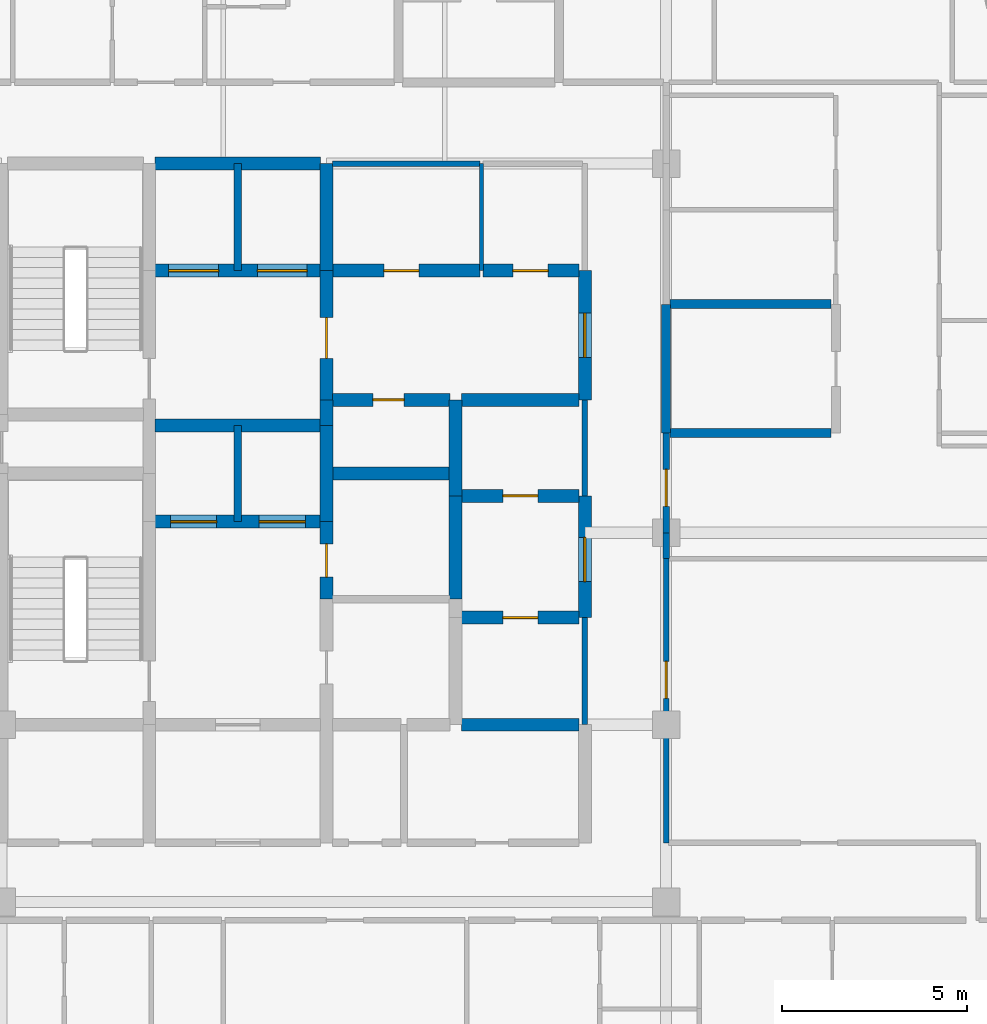
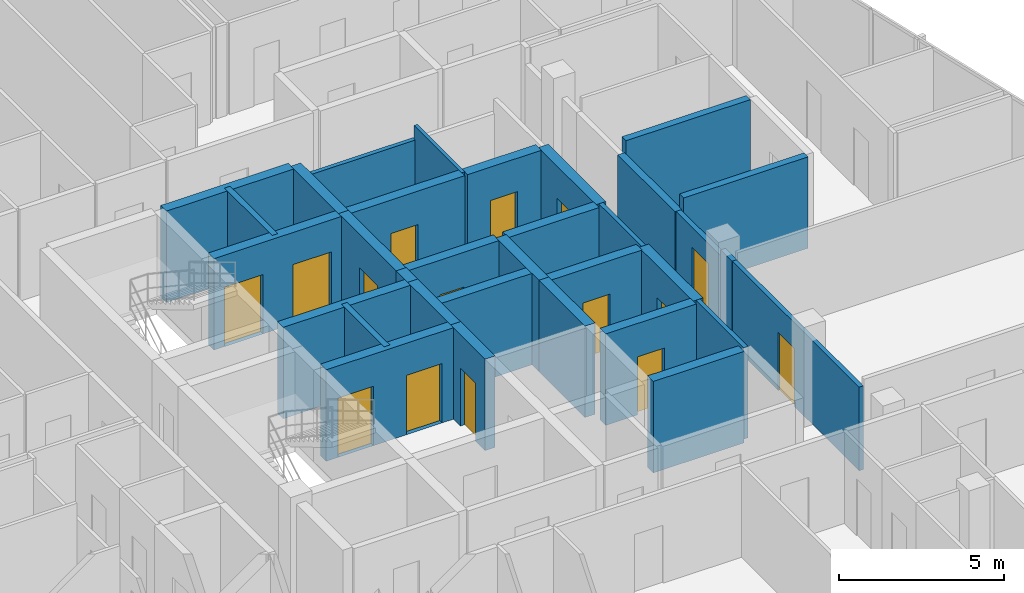
# One storey, part 27 of 30: 33 walls, 15 doors, 15 openings.
"""IFC4 building model written with IfcOpenShell, lengths in metres."""

from ifc_helpers import new_model, si_unit, direction, frame, frame_2d, origin, place, context, subcontext, project, spatial, rectangle, extrude, material, layer, layer_set, type_object, element, fill, save


model = new_model("IFC4")

# Units and contexts
model_context = context("Model", 3, precision=1e-05, world=origin(), true_north=direction((0.0, 1.0)))
body_context = subcontext(model_context, "Body", "Model", "MODEL_VIEW")
ifc_project = project(units=[si_unit("LENGTHUNIT", "METRE"), si_unit("AREAUNIT", "SQUARE_METRE"), si_unit("VOLUMEUNIT", "CUBIC_METRE"), si_unit("PLANEANGLEUNIT", "RADIAN"), si_unit("MASSUNIT", "GRAM", prefix="KILO")], contexts=[model_context])

# Site, building, storey
site_placement = place(None, origin())
site = spatial("IfcSite", under=ifc_project, at=site_placement, CompositionType="ELEMENT")
building_placement = place(site_placement, origin())
building = spatial("IfcBuilding", under=site, at=building_placement, Name="Keshet Zoharim Tower", CompositionType="ELEMENT")
storey_placement = place(building_placement, frame((0.0, 0.0, 280.60009765625)))
storey = spatial("IfcBuildingStorey", under=building, at=storey_placement, Name="L70", CompositionType="ELEMENT", Elevation=280.60009765625)

# Walls
ifc_material_1 = material(Name="Gypsum Plasterboard", Category="gypsum")
ifc_layer_1 = layer(ifc_material_1, 0.14990234375)
ifc_layer_set_1 = layer_set([ifc_layer_1], Name="Gypsum Plasterboard")
wall_type_1 = type_object("IfcWallType", Name="WL-CLIN-150", PredefinedType="STANDARD", material=ifc_layer_set_1)
wall_1_placement = place(storey_placement, frame((30.800048828125, 22.699951171875, 0.0), z_axis=(0.0, 0.0, 1.0), x_axis=(0.0, 1.0, 0.0)))
element("IfcWall", 1, at=wall_1_placement, inside=storey, type_object=wall_type_1, Name="L70 Interior Wall 061", PredefinedType="STANDARD", context=body_context, shape_type="SweptSolid", body=[
    extrude(rectangle(XDim=2.900146484375, YDim=0.14990234375, at=frame_2d((1.4501953125, 0.0))), origin(), (0.0, 0.0, 1.0), 3.389892578125),
])
wall_2_placement = place(storey_placement, frame((30.800048828125, 28.89990234375, 0.0), z_axis=(0.0, 0.0, 1.0), x_axis=(0.0, 1.0, 0.0)))
element("IfcWall", 2, at=wall_2_placement, inside=storey, type_object=wall_type_1, Name="L70 Interior Wall 063", PredefinedType="STANDARD", context=body_context, shape_type="SweptSolid", body=[
    extrude(rectangle(XDim=2.60009765625, YDim=0.14990234375, at=frame_2d((1.300048828125, 0.0))), origin(), (0.0, 0.0, 1.0), 3.389892578125),
])

# Wall, opening, door
wall_3_placement = place(storey_placement, frame((33.0, 19.5, 0.0), z_axis=(0.0, 0.0, 1.0), x_axis=(0.0, 1.0, 0.0)))
wall_3 = element("IfcWall", 3, at=wall_3_placement, inside=storey, type_object=wall_type_1, Name="L70 Interior Wall 069", PredefinedType="STANDARD", context=body_context, shape_type="SweptSolid", body=[
    extrude(rectangle(XDim=7.699951171875, YDim=0.14990234375, at=frame_2d((3.85009765625, 0.0))), origin(), (0.0, 0.0, 1.0), 3.099853515625),
])
opening_1_placement = place(wall_3_placement, frame((3.9130859375, 0.0, 0.0)))
opening_1 = element("IfcOpeningElement", 4, at=opening_1_placement, cuts=wall_3, Name="Opening D-F310", PredefinedType="OPENING", context=body_context, shape_type="SweptSolid", body=[
    extrude(rectangle(XDim=1.0, YDim=2.14990234375, at=frame_2d((0.5, 1.074951171875))), frame((0.0, 0.0849609375, 0.0), z_axis=(0.0, -1.0, 0.0), x_axis=(1.0, 0.0, 0.0)), (0.0, 0.0, 1.0), 0.169921875),
])
ifc_material_2 = material(Name="Hardwood Timber", Category="wood")
door_type_1 = type_object("IfcDoorType", Name="DR-FD30-100", OperationType="NOTDEFINED", PredefinedType="DOOR", material=ifc_material_2)
door_1_placement = place(opening_1_placement, origin())
door_1 = element("IfcDoor", 5, at=door_1_placement, inside=storey, type_object=door_type_1, Name="L70 South West Residents Services Suite Door 2", OperationType="SINGLE_SWING_LEFT", OverallHeight=2.14990234375, OverallWidth=1.0, PredefinedType="DOOR", context=body_context, shape_type="SweptSolid", body=[
    extrude(rectangle(XDim=1.0, YDim=2.14990234375, at=frame_2d((0.5, 1.074951171875))), frame((0.0, 0.02490234375, 0.0), z_axis=(0.0, -1.0, 0.0), x_axis=(1.0, 0.0, 0.0)), (0.0, 0.0, 1.0), 0.050048828125),
])
fill(opening_1, door_1)

# Wall
wall_4_placement = place(storey_placement, frame((23.9599609375, 37.89990234375, 0.0), z_axis=(0.0, 0.0, 1.0), x_axis=(1.0, 0.0, 0.0)))
element("IfcWall", 6, at=wall_4_placement, inside=storey, type_object=wall_type_1, Name="L70 Interior Wall 154", PredefinedType="STANDARD", context=body_context, shape_type="SweptSolid", body=[
    extrude(rectangle(XDim=3.9951171875, YDim=0.14990234375, at=frame_2d((1.99755859375, 0.0))), origin(), (0.0, 0.0, 1.0), 2.889892578125),
])

# Wall, opening, door
ifc_material_3 = material(Name="Concrete C60/75", Category="concrete")
ifc_layer_2 = layer(ifc_material_3, 0.35009765625)
ifc_layer_set_2 = layer_set([ifc_layer_2], Name="Concrete C60/75")
wall_type_2 = type_object("IfcWallType", Name="WL-CORE-350", PredefinedType="SHEAR", material=ifc_layer_set_2)
wall_5_placement = place(storey_placement, frame((23.800048828125, 26.10009765625, 0.0), z_axis=(0.0, 0.0, 1.0), x_axis=(0.0, 1.0, 0.0)))
wall_5 = element("IfcWall", 7, at=wall_5_placement, inside=storey, type_object=wall_type_2, Name="L70 Core Shear Wall 041", PredefinedType="SHEAR", context=body_context, shape_type="SweptSolid", body=[
    extrude(rectangle(XDim=2.099853515625, YDim=0.35009765625, at=frame_2d((1.0498046875, 0.0))), origin(), (0.0, 0.0, 1.0), 3.389892578125),
])
opening_2_placement = place(wall_5_placement, frame((0.60009765625, 0.0, 0.0)))
opening_2 = element("IfcOpeningElement", 8, at=opening_2_placement, cuts=wall_5, Name="Opening D-F690", PredefinedType="OPENING", context=body_context, shape_type="SweptSolid", body=[
    extrude(rectangle(XDim=0.89990234375, YDim=2.14990234375, at=frame_2d((0.449951171875, 1.074951171875))), frame((0.0, 0.18505859375, 0.0), z_axis=(0.0, -1.0, 0.0), x_axis=(1.0, 0.0, 0.0)), (0.0, 0.0, 1.0), 0.3701171875),
])
door_type_2 = type_object("IfcDoorType", Name="DR-FD60-090", OperationType="NOTDEFINED", PredefinedType="DOOR", material=ifc_material_2)
door_2_placement = place(opening_2_placement, origin())
door_2 = element("IfcDoor", 9, at=door_2_placement, inside=storey, type_object=door_type_2, Name="L70 Core Electrical Room Door", OperationType="SINGLE_SWING_RIGHT", OverallHeight=2.14990234375, OverallWidth=0.89990234375, PredefinedType="DOOR", context=body_context, shape_type="SweptSolid", body=[
    extrude(rectangle(XDim=0.89990234375, YDim=2.14990234375, at=frame_2d((0.449951171875, 1.074951171875))), frame((0.0, 0.02490234375, 0.0), z_axis=(0.0, -1.0, 0.0), x_axis=(1.0, 0.0, 0.0)), (0.0, 0.0, 1.0), 0.050048828125),
])
fill(opening_2, door_2)

# Walls
wall_6_placement = place(storey_placement, frame((23.800048828125, 28.199951171875, 0.0), z_axis=(0.0, 0.0, 1.0), x_axis=(0.0, 1.0, 0.0)))
element("IfcWall", 10, at=wall_6_placement, inside=storey, type_object=wall_type_2, Name="L70 Core Shear Wall 042", PredefinedType="SHEAR", context=body_context, shape_type="SweptSolid", body=[
    extrude(rectangle(XDim=2.60009765625, YDim=0.35009765625, at=frame_2d((1.300048828125, 0.0))), origin(), (0.0, 0.0, 1.0), 3.389892578125),
])
wall_7_placement = place(storey_placement, frame((23.800048828125, 30.800048828125, 0.0), z_axis=(0.0, 0.0, 1.0), x_axis=(0.0, 1.0, 0.0)))
element("IfcWall", 11, at=wall_7_placement, inside=storey, type_object=wall_type_2, Name="L70 Core Shear Wall 043", PredefinedType="SHEAR", context=body_context, shape_type="SweptSolid", body=[
    extrude(rectangle(XDim=0.699951171875, YDim=0.35009765625, at=frame_2d((0.35009765625, 0.0))), origin(), (0.0, 0.0, 1.0), 3.389892578125),
])

# Wall, opening, door
wall_8_placement = place(storey_placement, frame((23.800048828125, 31.5, 0.0), z_axis=(0.0, 0.0, 1.0), x_axis=(0.0, 1.0, 0.0)))
wall_8 = element("IfcWall", 12, at=wall_8_placement, inside=storey, type_object=wall_type_2, Name="L70 Core Shear Wall 044", PredefinedType="SHEAR", context=body_context, shape_type="SweptSolid", body=[
    extrude(rectangle(XDim=3.5, YDim=0.35009765625, at=frame_2d((1.75, 0.0))), origin(), (0.0, 0.0, 1.0), 3.389892578125),
])
opening_3_placement = place(wall_8_placement, frame((1.126953125, 0.0, 0.0)))
opening_3 = element("IfcOpeningElement", 13, at=opening_3_placement, cuts=wall_8, Name="Opening D-F611", PredefinedType="OPENING", context=body_context, shape_type="SweptSolid", body=[
    extrude(rectangle(XDim=1.10009765625, YDim=2.14990234375, at=frame_2d((0.550048828125, 1.074951171875))), frame((0.0, 0.18505859375, 0.0), z_axis=(0.0, -1.0, 0.0), x_axis=(1.0, 0.0, 0.0)), (0.0, 0.0, 1.0), 0.3701171875),
])
door_type_3 = type_object("IfcDoorType", Name="DR-FD60-110", OperationType="NOTDEFINED", PredefinedType="DOOR", material=ifc_material_2)
door_3_placement = place(opening_3_placement, origin())
door_3 = element("IfcDoor", 14, at=door_3_placement, inside=storey, type_object=door_type_3, Name="L70 Firefighting Lobby Fire Door", OperationType="SINGLE_SWING_LEFT", OverallHeight=2.14990234375, OverallWidth=1.10009765625, PredefinedType="DOOR", context=body_context, shape_type="SweptSolid", body=[
    extrude(rectangle(XDim=1.10009765625, YDim=2.14990234375, at=frame_2d((0.550048828125, 1.074951171875))), frame((0.0, 0.02490234375, 0.0), z_axis=(0.0, -1.0, 0.0), x_axis=(1.0, 0.0, 0.0)), (0.0, 0.0, 1.0), 0.050048828125),
])
fill(opening_3, door_3)

# Walls
wall_9_placement = place(storey_placement, frame((23.800048828125, 35.0, 0.0), z_axis=(0.0, 0.0, 1.0), x_axis=(0.0, 1.0, 0.0)))
element("IfcWall", 15, at=wall_9_placement, inside=storey, type_object=wall_type_2, Name="L70 Core Shear Wall 045", PredefinedType="SHEAR", context=body_context, shape_type="SweptSolid", body=[
    extrude(rectangle(XDim=2.89990234375, YDim=0.35009765625, at=frame_2d((1.449951171875, 0.0))), origin(), (0.0, 0.0, 1.0), 3.389892578125),
])
wall_10_placement = place(storey_placement, frame((27.300048828125, 26.10009765625, 0.0), z_axis=(0.0, 0.0, 1.0), x_axis=(0.0, 1.0, 0.0)))
element("IfcWall", 16, at=wall_10_placement, inside=storey, type_object=wall_type_2, Name="L70 Core Shear Wall 053", PredefinedType="SHEAR", context=body_context, shape_type="SweptSolid", body=[
    extrude(rectangle(XDim=2.7998046875, YDim=0.35009765625, at=frame_2d((1.39990234375, 0.0))), origin(), (0.0, 0.0, 1.0), 3.389892578125),
])
wall_11_placement = place(storey_placement, frame((27.300048828125, 28.89990234375, 0.0), z_axis=(0.0, 0.0, 1.0), x_axis=(0.0, 1.0, 0.0)))
element("IfcWall", 17, at=wall_11_placement, inside=storey, type_object=wall_type_2, Name="L70 Core Shear Wall 054", PredefinedType="SHEAR", context=body_context, shape_type="SweptSolid", body=[
    extrude(rectangle(XDim=2.60009765625, YDim=0.35009765625, at=frame_2d((1.300048828125, 0.0))), origin(), (0.0, 0.0, 1.0), 3.389892578125),
])

# Wall, opening, door
wall_12_placement = place(storey_placement, frame((30.800048828125, 25.60009765625, 0.0), z_axis=(0.0, 0.0, 1.0), x_axis=(0.0, 1.0, 0.0)))
wall_12 = element("IfcWall", 18, at=wall_12_placement, inside=storey, type_object=wall_type_2, Name="L70 Core Shear Wall 062", PredefinedType="SHEAR", context=body_context, shape_type="SweptSolid", body=[
    extrude(rectangle(XDim=3.2998046875, YDim=0.35009765625, at=frame_2d((1.64990234375, 0.0))), origin(), (0.0, 0.0, 1.0), 3.389892578125),
])
opening_4_placement = place(wall_12_placement, frame((0.97802734375, 0.0, 0.0)))
opening_4 = element("IfcOpeningElement", 19, at=opening_4_placement, cuts=wall_12, Name="Opening D-F612", PredefinedType="OPENING", context=body_context, shape_type="SweptSolid", body=[
    extrude(rectangle(XDim=1.199951171875, YDim=2.199951171875, at=frame_2d((0.60009765625, 1.10009765625))), frame((0.0, 0.18505859375, 0.0), z_axis=(0.0, -1.0, 0.0), x_axis=(1.0, 0.0, 0.0)), (0.0, 0.0, 1.0), 0.3701171875),
])
door_type_4 = type_object("IfcDoorType", Name="DR-FD60-120", OperationType="NOTDEFINED", PredefinedType="DOOR", material=ifc_material_2)
door_4_placement = place(opening_4_placement, origin())
door_4 = element("IfcDoor", 20, at=door_4_placement, inside=storey, type_object=door_type_4, Name="L70 East Lift Lobby Fire Door", OperationType="SINGLE_SWING_RIGHT", OverallHeight=2.199951171875, OverallWidth=1.199951171875, PredefinedType="DOOR", context=body_context, shape_type="SweptSolid", body=[
    extrude(rectangle(XDim=1.199951171875, YDim=2.199951171875, at=frame_2d((0.60009765625, 1.10009765625))), frame((0.0, 0.02490234375, 0.0), z_axis=(0.0, -1.0, 0.0), x_axis=(1.0, 0.0, 0.0)), (0.0, 0.0, 1.0), 0.050048828125),
])
fill(opening_4, door_4)

wall_13_placement = place(storey_placement, frame((30.800048828125, 31.5, 0.0), z_axis=(0.0, 0.0, 1.0), x_axis=(0.0, 1.0, 0.0)))
wall_13 = element("IfcWall", 21, at=wall_13_placement, inside=storey, type_object=wall_type_2, Name="L70 Core Shear Wall 064", PredefinedType="SHEAR", context=body_context, shape_type="SweptSolid", body=[
    extrude(rectangle(XDim=3.5, YDim=0.35009765625, at=frame_2d((1.75, 0.0))), origin(), (0.0, 0.0, 1.0), 3.389892578125),
])
opening_5_placement = place(wall_13_placement, frame((1.14990234375, 0.0, 0.0)))
opening_5 = element("IfcOpeningElement", 22, at=opening_5_placement, cuts=wall_13, Name="Opening D-F612", PredefinedType="OPENING", context=body_context, shape_type="SweptSolid", body=[
    extrude(rectangle(XDim=1.199951171875, YDim=2.199951171875, at=frame_2d((0.60009765625, 1.10009765625))), frame((0.0, 0.18505859375, 0.0), z_axis=(0.0, -1.0, 0.0), x_axis=(1.0, 0.0, 0.0)), (0.0, 0.0, 1.0), 0.3701171875),
])
door_5_placement = place(opening_5_placement, origin())
door_5 = element("IfcDoor", 23, at=door_5_placement, inside=storey, type_object=door_type_4, Name="L70 North Lift Lobby East Fire Door", OperationType="SINGLE_SWING_LEFT", OverallHeight=2.199951171875, OverallWidth=1.199951171875, PredefinedType="DOOR", context=body_context, shape_type="SweptSolid", body=[
    extrude(rectangle(XDim=1.199951171875, YDim=2.199951171875, at=frame_2d((0.60009765625, 1.10009765625))), frame((0.0, 0.02490234375, 0.0), z_axis=(0.0, -1.0, 0.0), x_axis=(1.0, 0.0, 0.0)), (0.0, 0.0, 1.0), 0.050048828125),
])
fill(opening_5, door_5)

# Wall
wall_14_placement = place(storey_placement, frame((27.4599609375, 22.699951171875, 0.0), z_axis=(0.0, 0.0, 1.0), x_axis=(1.0, 0.0, 0.0)))
element("IfcWall", 24, at=wall_14_placement, inside=storey, type_object=wall_type_2, Name="L70 Core Shear Wall 121", PredefinedType="SHEAR", context=body_context, shape_type="SweptSolid", body=[
    extrude(rectangle(XDim=3.179931640625, YDim=0.35009765625, at=frame_2d((1.58984375, 0.0))), origin(), (0.0, 0.0, 1.0), 3.389892578125),
])

# Wall, opening, door
wall_15_placement = place(storey_placement, frame((27.4599609375, 25.60009765625, 0.0), z_axis=(0.0, 0.0, 1.0), x_axis=(1.0, 0.0, 0.0)))
wall_15 = element("IfcWall", 25, at=wall_15_placement, inside=storey, type_object=wall_type_2, Name="L70 Core Shear Wall 124", PredefinedType="SHEAR", context=body_context, shape_type="SweptSolid", body=[
    extrude(rectangle(XDim=3.179931640625, YDim=0.35009765625, at=frame_2d((1.58984375, 0.0))), origin(), (0.0, 0.0, 1.0), 3.389892578125),
])
opening_6_placement = place(wall_15_placement, frame((1.114990234375, 0.0, 0.0)))
opening_6 = element("IfcOpeningElement", 26, at=opening_6_placement, cuts=wall_15, Name="Opening D-F695", PredefinedType="OPENING", context=body_context, shape_type="SweptSolid", body=[
    extrude(rectangle(XDim=0.949951171875, YDim=2.14990234375, at=frame_2d((0.47509765625, 1.074951171875))), frame((0.0, 0.18505859375, 0.0), z_axis=(0.0, -1.0, 0.0), x_axis=(1.0, 0.0, 0.0)), (0.0, 0.0, 1.0), 0.3701171875),
])
door_type_5 = type_object("IfcDoorType", Name="DR-FD60-095", OperationType="NOTDEFINED", PredefinedType="DOOR", material=ifc_material_2)
door_6_placement = place(opening_6_placement, origin())
door_6 = element("IfcDoor", 27, at=door_6_placement, inside=storey, type_object=door_type_5, Name="L70 Study Alcove Door", OperationType="SINGLE_SWING_LEFT", OverallHeight=2.14990234375, OverallWidth=0.949951171875, PredefinedType="DOOR", context=body_context, shape_type="SweptSolid", body=[
    extrude(rectangle(XDim=0.949951171875, YDim=2.14990234375, at=frame_2d((0.47509765625, 1.074951171875))), frame((0.0, 0.02490234375, 0.0), z_axis=(0.0, -1.0, 0.0), x_axis=(1.0, 0.0, 0.0)), (0.0, 0.0, 1.0), 0.050048828125),
])
fill(opening_6, door_6)

# Wall, openings, doors
wall_16_placement = place(storey_placement, frame((19.159912109375, 28.199951171875, 0.0), z_axis=(0.0, 0.0, 1.0), x_axis=(1.0, 0.0, 0.0)))
wall_16 = element("IfcWall", 28, at=wall_16_placement, inside=storey, type_object=wall_type_2, Name="L70 Core Shear Wall 129", PredefinedType="SHEAR", context=body_context, shape_type="SweptSolid", body=[
    extrude(rectangle(XDim=4.47998046875, YDim=0.35009765625, at=frame_2d((2.239990234375, 0.0))), origin(), (0.0, 0.0, 1.0), 3.389892578125),
])
opening_7_placement = place(wall_16_placement, frame((0.4150390625, 0.0, 0.0)))
opening_7 = element("IfcOpeningElement", 29, at=opening_7_placement, cuts=wall_16, Name="Opening LD-01", PredefinedType="OPENING", context=body_context, shape_type="SweptSolid", body=[
    extrude(rectangle(XDim=1.25, YDim=2.199951171875, at=frame_2d((0.625, 1.10009765625))), frame((0.0, 0.18505859375, 0.0), z_axis=(0.0, -1.0, 0.0), x_axis=(1.0, 0.0, 0.0)), (0.0, 0.0, 1.0), 0.3701171875),
])
opening_8_placement = place(wall_16_placement, frame((2.81494140625, 0.0, 0.0)))
opening_8 = element("IfcOpeningElement", 30, at=opening_8_placement, cuts=wall_16, Name="Opening LD-01", PredefinedType="OPENING", context=body_context, shape_type="SweptSolid", body=[
    extrude(rectangle(XDim=1.25, YDim=2.199951171875, at=frame_2d((0.625, 1.10009765625))), frame((0.0, 0.18505859375, 0.0), z_axis=(0.0, -1.0, 0.0), x_axis=(1.0, 0.0, 0.0)), (0.0, 0.0, 1.0), 0.3701171875),
])
ifc_material_4 = material(Name="Steel S355", Category="steel")
door_type_6 = type_object("IfcDoorType", Name="DR-LD01-125", OperationType="DOUBLE_DOOR_SLIDING", PredefinedType="DOOR", material=ifc_material_4)
door_7_placement = place(opening_7_placement, origin())
door_7 = element("IfcDoor", 31, at=door_7_placement, inside=storey, type_object=door_type_6, Name="L70 Passenger Lift Landing Door LF-09", OperationType="DOUBLE_DOOR_SLIDING", OverallHeight=2.199951171875, OverallWidth=1.25, PredefinedType="DOOR", context=body_context, shape_type="SweptSolid", body=[
    extrude(rectangle(XDim=1.25, YDim=2.199951171875, at=frame_2d((0.625, 1.10009765625))), frame((0.0, 0.02490234375, 0.0), z_axis=(0.0, -1.0, 0.0), x_axis=(1.0, 0.0, 0.0)), (0.0, 0.0, 1.0), 0.050048828125),
])
fill(opening_7, door_7)
door_8_placement = place(opening_8_placement, origin())
door_8 = element("IfcDoor", 32, at=door_8_placement, inside=storey, type_object=door_type_6, Name="L70 Passenger Lift Landing Door LF-10", OperationType="DOUBLE_DOOR_SLIDING", OverallHeight=2.199951171875, OverallWidth=1.25, PredefinedType="DOOR", context=body_context, shape_type="SweptSolid", body=[
    extrude(rectangle(XDim=1.25, YDim=2.199951171875, at=frame_2d((0.625, 1.10009765625))), frame((0.0, 0.02490234375, 0.0), z_axis=(0.0, -1.0, 0.0), x_axis=(1.0, 0.0, 0.0)), (0.0, 0.0, 1.0), 0.050048828125),
])
fill(opening_8, door_8)

# Wall, opening, door
wall_17_placement = place(storey_placement, frame((27.4599609375, 28.89990234375, 0.0), z_axis=(0.0, 0.0, 1.0), x_axis=(1.0, 0.0, 0.0)))
wall_17 = element("IfcWall", 33, at=wall_17_placement, inside=storey, type_object=wall_type_2, Name="L70 Core Shear Wall 134", PredefinedType="SHEAR", context=body_context, shape_type="SweptSolid", body=[
    extrude(rectangle(XDim=3.179931640625, YDim=0.35009765625, at=frame_2d((1.58984375, 0.0))), origin(), (0.0, 0.0, 1.0), 3.389892578125),
])
opening_9_placement = place(wall_17_placement, frame((1.114990234375, 0.0, 0.0)))
opening_9 = element("IfcOpeningElement", 34, at=opening_9_placement, cuts=wall_17, Name="Opening D-F695", PredefinedType="OPENING", context=body_context, shape_type="SweptSolid", body=[
    extrude(rectangle(XDim=0.949951171875, YDim=2.14990234375, at=frame_2d((0.47509765625, 1.074951171875))), frame((0.0, 0.18505859375, 0.0), z_axis=(0.0, -1.0, 0.0), x_axis=(1.0, 0.0, 0.0)), (0.0, 0.0, 1.0), 0.3701171875),
])
door_9_placement = place(opening_9_placement, frame((0.949951171875, 0.0, 0.0), z_axis=(0.0, 0.0, 1.0), x_axis=(-1.0, 0.0, 0.0)))
door_9 = element("IfcDoor", 35, at=door_9_placement, inside=storey, type_object=door_type_5, Name="L70 Parcel Store Door", OperationType="SINGLE_SWING_RIGHT", OverallHeight=2.14990234375, OverallWidth=0.949951171875, PredefinedType="DOOR", context=body_context, shape_type="SweptSolid", body=[
    extrude(rectangle(XDim=0.949951171875, YDim=2.14990234375, at=frame_2d((0.47509765625, 1.074951171875))), frame((0.0, 0.02490234375, 0.0), z_axis=(0.0, -1.0, 0.0), x_axis=(1.0, 0.0, 0.0)), (0.0, 0.0, 1.0), 0.050048828125),
])
fill(opening_9, door_9)

# Walls
wall_18_placement = place(storey_placement, frame((23.9599609375, 29.5, 0.0), z_axis=(0.0, 0.0, 1.0), x_axis=(1.0, 0.0, 0.0)))
element("IfcWall", 36, at=wall_18_placement, inside=storey, type_object=wall_type_2, Name="L70 Core Shear Wall 136", PredefinedType="SHEAR", context=body_context, shape_type="SweptSolid", body=[
    extrude(rectangle(XDim=3.179931640625, YDim=0.35009765625, at=frame_2d((1.58984375, 0.0))), origin(), (0.0, 0.0, 1.0), 3.389892578125),
])
wall_19_placement = place(storey_placement, frame((19.159912109375, 30.800048828125, 0.0), z_axis=(0.0, 0.0, 1.0), x_axis=(1.0, 0.0, 0.0)))
element("IfcWall", 37, at=wall_19_placement, inside=storey, type_object=wall_type_2, Name="L70 Core Shear Wall 140", PredefinedType="SHEAR", context=body_context, shape_type="SweptSolid", body=[
    extrude(rectangle(XDim=4.47998046875, YDim=0.35009765625, at=frame_2d((2.239990234375, 0.0))), origin(), (0.0, 0.0, 1.0), 3.389892578125),
])

# Wall, opening, door
wall_20_placement = place(storey_placement, frame((23.9599609375, 31.5, 0.0), z_axis=(0.0, 0.0, 1.0), x_axis=(1.0, 0.0, 0.0)))
wall_20 = element("IfcWall", 38, at=wall_20_placement, inside=storey, type_object=wall_type_2, Name="L70 Core Shear Wall 144", PredefinedType="SHEAR", context=body_context, shape_type="SweptSolid", body=[
    extrude(rectangle(XDim=3.179931640625, YDim=0.35009765625, at=frame_2d((1.58984375, 0.0))), origin(), (0.0, 0.0, 1.0), 3.389892578125),
])
opening_10_placement = place(wall_20_placement, frame((1.093994140625, 0.0, 0.0)))
opening_10 = element("IfcOpeningElement", 39, at=opening_10_placement, cuts=wall_20, Name="Opening D-RS85", PredefinedType="OPENING", context=body_context, shape_type="SweptSolid", body=[
    extrude(rectangle(XDim=0.85009765625, YDim=2.10009765625, at=frame_2d((0.425048828125, 1.050048828125))), frame((0.0, 0.18505859375, 0.0), z_axis=(0.0, -1.0, 0.0), x_axis=(1.0, 0.0, 0.0)), (0.0, 0.0, 1.0), 0.3701171875),
])
door_type_7 = type_object("IfcDoorType", Name="DR-RIS-085", OperationType="NOTDEFINED", PredefinedType="DOOR", material=ifc_material_2)
door_10_placement = place(opening_10_placement, origin())
door_10 = element("IfcDoor", 40, at=door_10_placement, inside=storey, type_object=door_type_7, Name="L70 Telecom Riser Access Cupboard Door", OperationType="SINGLE_SWING_LEFT", OverallHeight=2.10009765625, OverallWidth=0.85009765625, PredefinedType="DOOR", context=body_context, shape_type="SweptSolid", body=[
    extrude(rectangle(XDim=0.85009765625, YDim=2.10009765625, at=frame_2d((0.425048828125, 1.050048828125))), frame((0.0, 0.02490234375, 0.0), z_axis=(0.0, -1.0, 0.0), x_axis=(1.0, 0.0, 0.0)), (0.0, 0.0, 1.0), 0.050048828125),
])
fill(opening_10, door_10)

# Wall
wall_21_placement = place(storey_placement, frame((27.4599609375, 31.5, 0.0), z_axis=(0.0, 0.0, 1.0), x_axis=(1.0, 0.0, 0.0)))
element("IfcWall", 41, at=wall_21_placement, inside=storey, type_object=wall_type_2, Name="L70 Core Shear Wall 145", PredefinedType="SHEAR", context=body_context, shape_type="SweptSolid", body=[
    extrude(rectangle(XDim=3.179931640625, YDim=0.35009765625, at=frame_2d((1.58984375, 0.0))), origin(), (0.0, 0.0, 1.0), 3.389892578125),
])

# Wall, openings, doors
wall_22_placement = place(storey_placement, frame((19.159912109375, 35.0, 0.0), z_axis=(0.0, 0.0, 1.0), x_axis=(1.0, 0.0, 0.0)))
wall_22 = element("IfcWall", 42, at=wall_22_placement, inside=storey, type_object=wall_type_2, Name="L70 Core Shear Wall 148", PredefinedType="SHEAR", context=body_context, shape_type="SweptSolid", body=[
    extrude(rectangle(XDim=4.47998046875, YDim=0.35009765625, at=frame_2d((2.239990234375, 0.0))), origin(), (0.0, 0.0, 1.0), 3.389892578125),
])
opening_11_placement = place(wall_22_placement, frame((0.364990234375, 0.0, 0.0)))
opening_11 = element("IfcOpeningElement", 43, at=opening_11_placement, cuts=wall_22, Name="Opening LD-02", PredefinedType="OPENING", context=body_context, shape_type="SweptSolid", body=[
    extrude(rectangle(XDim=1.35009765625, YDim=2.199951171875, at=frame_2d((0.675048828125, 1.10009765625))), frame((0.0, 0.18505859375, 0.0), z_axis=(0.0, -1.0, 0.0), x_axis=(1.0, 0.0, 0.0)), (0.0, 0.0, 1.0), 0.3701171875),
])
opening_12_placement = place(wall_22_placement, frame((2.764892578125, 0.0, 0.0)))
opening_12 = element("IfcOpeningElement", 44, at=opening_12_placement, cuts=wall_22, Name="Opening LD-02", PredefinedType="OPENING", context=body_context, shape_type="SweptSolid", body=[
    extrude(rectangle(XDim=1.35009765625, YDim=2.199951171875, at=frame_2d((0.675048828125, 1.10009765625))), frame((0.0, 0.18505859375, 0.0), z_axis=(0.0, -1.0, 0.0), x_axis=(1.0, 0.0, 0.0)), (0.0, 0.0, 1.0), 0.3701171875),
])
door_type_8 = type_object("IfcDoorType", Name="DR-LD02-135", OperationType="DOUBLE_DOOR_SLIDING", PredefinedType="DOOR", material=ifc_material_4)
door_11_placement = place(opening_11_placement, origin())
door_11 = element("IfcDoor", 45, at=door_11_placement, inside=storey, type_object=door_type_8, Name="L70 Firefighting Lift Landing Door FF-01", OperationType="DOUBLE_DOOR_SLIDING", OverallHeight=2.199951171875, OverallWidth=1.35009765625, PredefinedType="DOOR", context=body_context, shape_type="SweptSolid", body=[
    extrude(rectangle(XDim=1.35009765625, YDim=2.199951171875, at=frame_2d((0.675048828125, 1.10009765625))), frame((0.0, 0.02490234375, 0.0), z_axis=(0.0, -1.0, 0.0), x_axis=(1.0, 0.0, 0.0)), (0.0, 0.0, 1.0), 0.050048828125),
])
fill(opening_11, door_11)
door_12_placement = place(opening_12_placement, origin())
door_12 = element("IfcDoor", 46, at=door_12_placement, inside=storey, type_object=door_type_8, Name="L70 Firefighting Lift Landing Door FF-02", OperationType="DOUBLE_DOOR_SLIDING", OverallHeight=2.199951171875, OverallWidth=1.35009765625, PredefinedType="DOOR", context=body_context, shape_type="SweptSolid", body=[
    extrude(rectangle(XDim=1.35009765625, YDim=2.199951171875, at=frame_2d((0.675048828125, 1.10009765625))), frame((0.0, 0.02490234375, 0.0), z_axis=(0.0, -1.0, 0.0), x_axis=(1.0, 0.0, 0.0)), (0.0, 0.0, 1.0), 0.050048828125),
])
fill(opening_12, door_12)

# Wall, opening, door
wall_23_placement = place(storey_placement, frame((23.9599609375, 35.0, 0.0), z_axis=(0.0, 0.0, 1.0), x_axis=(1.0, 0.0, 0.0)))
wall_23 = element("IfcWall", 47, at=wall_23_placement, inside=storey, type_object=wall_type_2, Name="L70 Core Shear Wall 149", PredefinedType="SHEAR", context=body_context, shape_type="SweptSolid", body=[
    extrude(rectangle(XDim=3.9951171875, YDim=0.35009765625, at=frame_2d((1.99755859375, 0.0))), origin(), (0.0, 0.0, 1.0), 3.389892578125),
])
opening_13_placement = place(wall_23_placement, frame((1.39306640625, 0.0, 0.0)))
opening_13 = element("IfcOpeningElement", 48, at=opening_13_placement, cuts=wall_23, Name="Opening D-F695", PredefinedType="OPENING", context=body_context, shape_type="SweptSolid", body=[
    extrude(rectangle(XDim=0.949951171875, YDim=2.14990234375, at=frame_2d((0.47509765625, 1.074951171875))), frame((0.0, 0.18505859375, 0.0), z_axis=(0.0, -1.0, 0.0), x_axis=(1.0, 0.0, 0.0)), (0.0, 0.0, 1.0), 0.3701171875),
])
door_13_placement = place(opening_13_placement, frame((0.949951171875, 0.0, 0.0), z_axis=(0.0, 0.0, 1.0), x_axis=(-1.0, 0.0, 0.0)))
door_13 = element("IfcDoor", 49, at=door_13_placement, inside=storey, type_object=door_type_5, Name="L70 Laundry Room Door", OperationType="SINGLE_SWING_RIGHT", OverallHeight=2.14990234375, OverallWidth=0.949951171875, PredefinedType="DOOR", context=body_context, shape_type="SweptSolid", body=[
    extrude(rectangle(XDim=0.949951171875, YDim=2.14990234375, at=frame_2d((0.47509765625, 1.074951171875))), frame((0.0, 0.02490234375, 0.0), z_axis=(0.0, -1.0, 0.0), x_axis=(1.0, 0.0, 0.0)), (0.0, 0.0, 1.0), 0.050048828125),
])
fill(opening_13, door_13)

wall_24_placement = place(storey_placement, frame((28.044921875, 35.0, 0.0), z_axis=(0.0, 0.0, 1.0), x_axis=(1.0, 0.0, 0.0)))
wall_24 = element("IfcWall", 50, at=wall_24_placement, inside=storey, type_object=wall_type_2, Name="L70 Core Shear Wall 150", PredefinedType="SHEAR", context=body_context, shape_type="SweptSolid", body=[
    extrude(rectangle(XDim=2.594970703125, YDim=0.35009765625, at=frame_2d((1.29736328125, 0.0))), origin(), (0.0, 0.0, 1.0), 3.389892578125),
])
opening_14_placement = place(wall_24_placement, frame((0.805908203125, 0.0, 0.0)))
opening_14 = element("IfcOpeningElement", 51, at=opening_14_placement, cuts=wall_24, Name="Opening D-F695", PredefinedType="OPENING", context=body_context, shape_type="SweptSolid", body=[
    extrude(rectangle(XDim=0.949951171875, YDim=2.14990234375, at=frame_2d((0.47509765625, 1.074951171875))), frame((0.0, 0.18505859375, 0.0), z_axis=(0.0, -1.0, 0.0), x_axis=(1.0, 0.0, 0.0)), (0.0, 0.0, 1.0), 0.3701171875),
])
door_14_placement = place(opening_14_placement, frame((0.949951171875, 0.0, 0.0), z_axis=(0.0, 0.0, 1.0), x_axis=(-1.0, 0.0, 0.0)))
door_14 = element("IfcDoor", 52, at=door_14_placement, inside=storey, type_object=door_type_5, Name="L70 Quiet Study Room Door", OperationType="SINGLE_SWING_LEFT", OverallHeight=2.14990234375, OverallWidth=0.949951171875, PredefinedType="DOOR", context=body_context, shape_type="SweptSolid", body=[
    extrude(rectangle(XDim=0.949951171875, YDim=2.14990234375, at=frame_2d((0.47509765625, 1.074951171875))), frame((0.0, 0.02490234375, 0.0), z_axis=(0.0, -1.0, 0.0), x_axis=(1.0, 0.0, 0.0)), (0.0, 0.0, 1.0), 0.050048828125),
])
fill(opening_14, door_14)

# Walls
wall_25_placement = place(storey_placement, frame((19.159912109375, 37.89990234375, 0.0), z_axis=(0.0, 0.0, 1.0), x_axis=(1.0, 0.0, 0.0)))
element("IfcWall", 53, at=wall_25_placement, inside=storey, type_object=wall_type_2, Name="L70 Core Shear Wall 153", PredefinedType="SHEAR", context=body_context, shape_type="SweptSolid", body=[
    extrude(rectangle(XDim=4.47998046875, YDim=0.35009765625, at=frame_2d((2.239990234375, 0.0))), origin(), (0.0, 0.0, 1.0), 3.389892578125),
])
ifc_layer_3 = layer(ifc_material_1, 0.179931640625)
ifc_layer_set_3 = layer_set([ifc_layer_3], Name="Gypsum Plasterboard")
wall_type_3 = type_object("IfcWallType", Name="WL-CORR-180", PredefinedType="STANDARD", material=ifc_layer_set_3)
wall_26_placement = place(storey_placement, frame((33.0, 27.199951171875, 0.0), z_axis=(0.0, 0.0, 1.0), x_axis=(0.0, 1.0, 0.0)))
element("IfcWall", 54, at=wall_26_placement, inside=storey, type_object=wall_type_3, Name="L70 Interior Wall 070", PredefinedType="STANDARD", context=body_context, shape_type="SweptSolid", body=[
    extrude(rectangle(XDim=0.699951171875, YDim=0.179931640625, at=frame_2d((0.35009765625, 0.0))), origin(), (0.0, 0.0, 1.0), 3.099853515625),
])

# Wall, opening, door
wall_27_placement = place(storey_placement, frame((33.0, 27.89990234375, 0.0), z_axis=(0.0, 0.0, 1.0), x_axis=(0.0, 1.0, 0.0)))
wall_27 = element("IfcWall", 55, at=wall_27_placement, inside=storey, type_object=wall_type_3, Name="L70 Interior Wall 070 Part 2", PredefinedType="STANDARD", context=body_context, shape_type="SweptSolid", body=[
    extrude(rectangle(XDim=2.7001953125, YDim=0.179931640625, at=frame_2d((1.35009765625, 0.0))), origin(), (0.0, 0.0, 1.0), 2.889892578125),
])
opening_15_placement = place(wall_27_placement, frame((0.718017578125, 0.0, 0.0)))
opening_15 = element("IfcOpeningElement", 56, at=opening_15_placement, cuts=wall_27, Name="Opening D-F310", PredefinedType="OPENING", context=body_context, shape_type="SweptSolid", body=[
    extrude(rectangle(XDim=1.0, YDim=2.14990234375, at=frame_2d((0.5, 1.074951171875))), frame((0.0, 0.10009765625, 0.0), z_axis=(0.0, -1.0, 0.0), x_axis=(1.0, 0.0, 0.0)), (0.0, 0.0, 1.0), 0.199951171875),
])
door_15_placement = place(opening_15_placement, origin())
door_15 = element("IfcDoor", 57, at=door_15_placement, inside=storey, type_object=door_type_1, Name="Apartment 7008 Entrance Door", OperationType="SINGLE_SWING_RIGHT", OverallHeight=2.14990234375, OverallWidth=1.0, PredefinedType="DOOR", context=body_context, shape_type="SweptSolid", body=[
    extrude(rectangle(XDim=1.0, YDim=2.14990234375, at=frame_2d((0.5, 1.074951171875))), frame((0.0, 0.02490234375, 0.0), z_axis=(0.0, -1.0, 0.0), x_axis=(1.0, 0.0, 0.0)), (0.0, 0.0, 1.0), 0.050048828125),
])
fill(opening_15, door_15)

# Walls
ifc_material_5 = material(Name="Concrete C50/60", Category="concrete")
ifc_layer_4 = layer(ifc_material_5, 0.199951171875)
ifc_layer_set_4 = layer_set([ifc_layer_4], Name="Concrete C50/60")
wall_type_4 = type_object("IfcWallType", Name="WL-FIRE-200", PredefinedType="STANDARD", material=ifc_layer_set_4)
wall_28_placement = place(storey_placement, frame((21.39990234375, 28.199951171875, 0.0), z_axis=(0.0, 0.0, 1.0), x_axis=(0.0, 1.0, 0.0)))
element("IfcWall", 58, at=wall_28_placement, inside=storey, type_object=wall_type_4, Name="L70 Interior Wall 036", PredefinedType="STANDARD", context=body_context, shape_type="SweptSolid", body=[
    extrude(rectangle(XDim=2.60009765625, YDim=0.199951171875, at=frame_2d((1.300048828125, 0.0))), origin(), (0.0, 0.0, 1.0), 3.389892578125),
])
wall_29_placement = place(storey_placement, frame((21.39990234375, 35.0, 0.0), z_axis=(0.0, 0.0, 1.0), x_axis=(0.0, 1.0, 0.0)))
element("IfcWall", 59, at=wall_29_placement, inside=storey, type_object=wall_type_4, Name="L70 Interior Wall 037", PredefinedType="STANDARD", context=body_context, shape_type="SweptSolid", body=[
    extrude(rectangle(XDim=2.89990234375, YDim=0.199951171875, at=frame_2d((1.449951171875, 0.0))), origin(), (0.0, 0.0, 1.0), 3.389892578125),
])
ifc_layer_5 = layer(ifc_material_5, 0.25)
ifc_layer_set_5 = layer_set([ifc_layer_5], Name="Concrete C50/60")
wall_type_5 = type_object("IfcWallType", Name="WL-MAMAD-250", PredefinedType="STANDARD", material=ifc_layer_set_5)
wall_30_placement = place(storey_placement, frame((33.0, 30.60009765625, 0.0), z_axis=(0.0, 0.0, 1.0), x_axis=(0.0, 1.0, 0.0)))
element("IfcWall", 60, at=wall_30_placement, inside=storey, type_object=wall_type_5, Name="L70 Interior Wall 071", PredefinedType="STANDARD", context=body_context, shape_type="SweptSolid", body=[
    extrude(rectangle(XDim=3.476806640625, YDim=0.25, at=frame_2d((1.73828125, 0.0))), origin(), (0.0, 0.0, 1.0), 2.889892578125),
])
for number, where, z_axis, x_axis, name in (
    (61, (33.110107421875, 30.60009765625, 0.0), (0.0, 0.0, 1.0), (1.0, 0.0, 0.0), "L70 Interior Wall 138"),
    (62, (33.110107421875, 34.10009765625, 0.0), (0.0, 0.0, 1.0), (1.0, 0.0, 0.0), "L70 Interior Wall 147"),
):
    element("IfcWall", number, at=place(storey_placement, frame(where, z_axis=z_axis, x_axis=x_axis)), inside=storey, type_object=wall_type_5, Name=name, PredefinedType="STANDARD", context=body_context, shape_type="SweptSolid", body=[
        extrude(rectangle(XDim=4.35986328125, YDim=0.25, at=frame_2d((2.179931640625, 0.0))), origin(), (0.0, 0.0, 1.0), 3.389892578125),
    ])
ifc_layer_6 = layer(ifc_material_1, 0.1201171875)
ifc_layer_set_6 = layer_set([ifc_layer_6], Name="Gypsum Plasterboard")
wall_type_6 = type_object("IfcWallType", Name="WL-PART-120", PredefinedType="PARTITIONING", material=ifc_layer_set_6)
wall_31_placement = place(storey_placement, frame((28.0, 35.0, 0.0), z_axis=(0.0, 0.0, 1.0), x_axis=(0.0, 1.0, 0.0)))
element("IfcWall", 63, at=wall_31_placement, inside=storey, type_object=wall_type_6, Name="L70 Interior Wall 056", PredefinedType="PARTITIONING", context=body_context, shape_type="SweptSolid", body=[
    extrude(rectangle(XDim=2.89990234375, YDim=0.1201171875, at=frame_2d((1.449951171875, 0.0))), origin(), (0.0, 0.0, 1.0), 3.389892578125),
])

save(model, "model.ifc")
